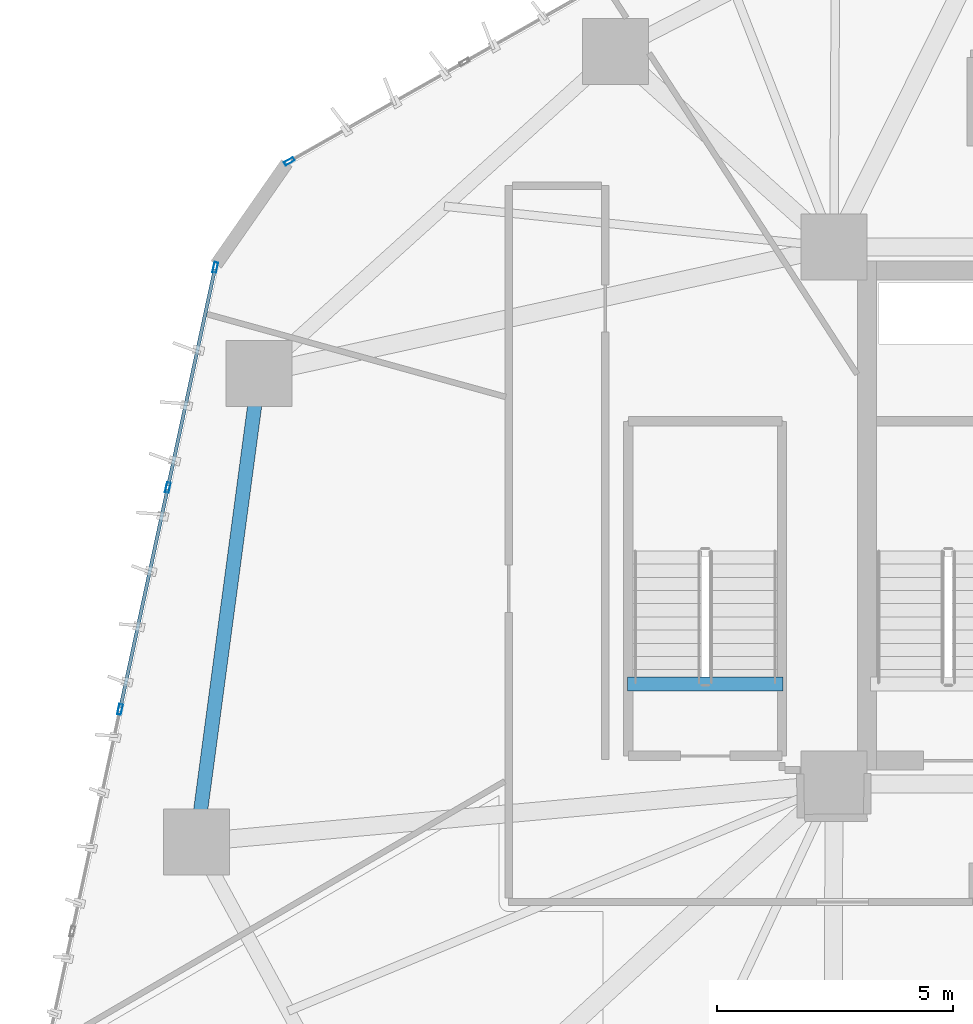
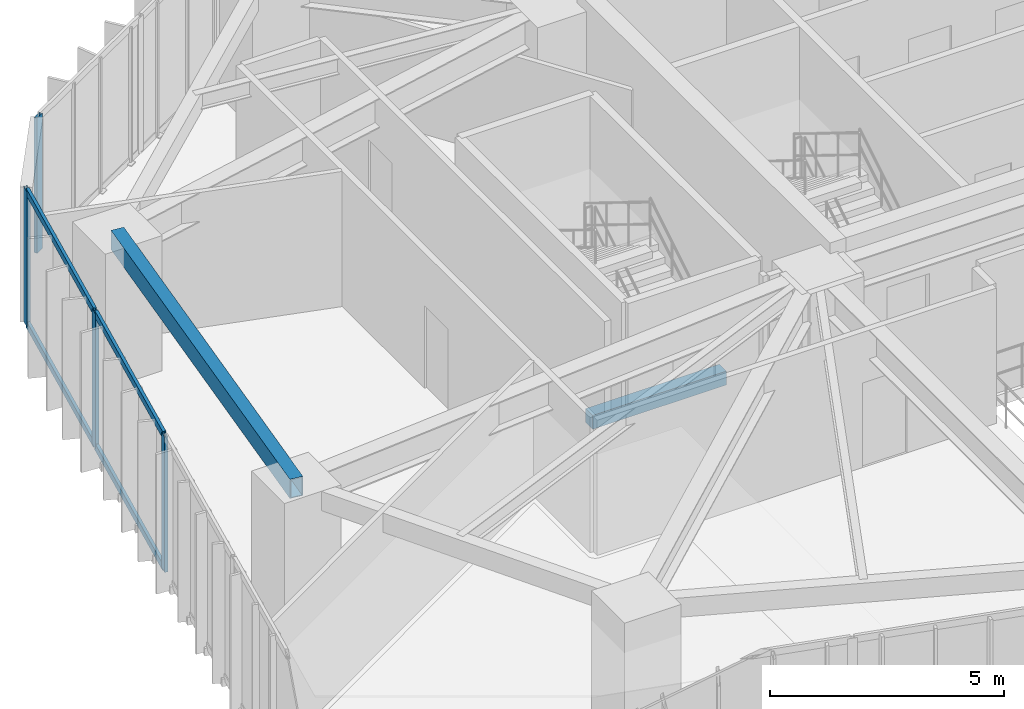
# One storey, part 6 of 23: 8 members, 2 beams, 2 elements without a shape of their own.
"""IFC4 building model written with IfcOpenShell, lengths in metres."""

from ifc_helpers import new_model, si_unit, direction, frame, origin, origin_2d, place, context, subcontext, project, spatial, rectangle, hollow_rectangle, extrude, source, transform, mapped, material, layer, layer_set, material_profile, profile_set, type_object, type_shapes, element, aggregate, save


model = new_model("IFC4")

# Units and contexts
model_context = context("Model", 3, precision=1e-05, world=origin(), true_north=direction((0.0, 1.0)))
body_context = subcontext(model_context, "Body", "Model", "MODEL_VIEW")
ifc_project = project(units=[si_unit("LENGTHUNIT", "METRE"), si_unit("AREAUNIT", "SQUARE_METRE"), si_unit("VOLUMEUNIT", "CUBIC_METRE"), si_unit("PLANEANGLEUNIT", "RADIAN"), si_unit("MASSUNIT", "GRAM", prefix="KILO")], contexts=[model_context])

# Site, building, storey
site_placement = place(None, origin())
site = spatial("IfcSite", under=ifc_project, at=site_placement, CompositionType="ELEMENT")
building_placement = place(site_placement, origin())
building = spatial("IfcBuilding", under=site, at=building_placement, Name="Talar Marvaseh", CompositionType="ELEMENT")
storey_placement = place(building_placement, frame((0.0, 0.0, 46.800048828125)))
storey = spatial("IfcBuildingStorey", under=building, at=storey_placement, Name="L11", CompositionType="ELEMENT", Elevation=46.800048828125)

# Beams
ifc_material_1 = material(Name="Concrete C40/50", Category="concrete")
ifc_material_profile_1 = material_profile(ifc_material_1, rectangle(XDim=0.300048828125, YDim=0.360107421875, at=origin_2d()), Name="RC300x360")
ifc_profile_set_1 = profile_set([ifc_material_profile_1], Name="Concrete C40/50")
beam_type_1 = type_object("IfcBeamType", Name="Concrete Stair Landing Trimmer Beam RC300x360", PredefinedType="SPANDREL", material=ifc_profile_set_1)
beam_1_placement = place(storey_placement, frame((17.6201171875, 27.6298828125, -0.179931640625), z_axis=(-1.0, 0.0, 0.0), x_axis=(0.0, -1.0, 0.0)))
element("IfcBeam", 1, at=beam_1_placement, inside=storey, type_object=beam_type_1, Name="L11 ST-3 Stair Nosing Trimmer Beam", PredefinedType="SPANDREL", context=body_context, shape_type="SweptSolid", body=[
    extrude(rectangle(XDim=0.300048828125, YDim=0.360107421875, at=origin_2d()), origin(), (0.0, 0.0, 1.0), 3.300048828125),
])
ifc_material_2 = material(Name="Steel S355", Category="steel")
ifc_material_profile_2 = material_profile(ifc_material_2, hollow_rectangle(XDim=0.300048828125, YDim=0.5, WallThickness=0.02001953125, at=origin_2d()), Name="RHS500x300x20")
ifc_profile_set_2 = profile_set([ifc_material_profile_2], Name="Steel S355")
beam_type_2 = type_object("IfcBeamType", Name="Zone 1 Perimeter Spandrel Beam RHS500x300x20", PredefinedType="SPANDREL", material=ifc_profile_set_2)
beam_2_placement = place(storey_placement, frame((5.175048828125, 24.27587890625, 3.27001953125), z_axis=(0.132340758564, 0.991204279461, 0.0), x_axis=(-0.991204279461, 0.132340758564, 0.0)))
element("IfcBeam", 2, at=beam_2_placement, inside=storey, type_object=beam_type_2, Name="L11 Zone 1 Perimeter Spandrel Beam RHS500x300x20", PredefinedType="SPANDREL", context=body_context, shape_type="SweptSolid", body=[
    extrude(hollow_rectangle(XDim=0.300048828125, YDim=0.5, WallThickness=0.02001953125, at=origin_2d()), origin(), (0.0, 0.0, 1.0), 10.0263671875),
])

# Curtain wall, members
ifc_material_3 = material(Name="Architectural Aluminium", Category="aluminium")
ifc_layer = layer(ifc_material_3, 0.219970703125)
ifc_layer_set = layer_set([ifc_layer], Name="Architectural Aluminium")
curtain_wall_type = type_object("IfcCurtainWallType", Name="Unitised Low-E Museum Curtain Wall Z1", PredefinedType="NOTDEFINED", material=ifc_layer_set)
curtain_wall_1_placement = place(storey_placement, origin())
curtain_wall_1 = element("IfcCurtainWall", 3, at=curtain_wall_1_placement, inside=storey, type_object=curtain_wall_type, Name="L11 Unitised Low-E Museum Curtain Wall Z1", PredefinedType="NOTDEFINED")
ifc_material_profile_3 = material_profile(ifc_material_3, hollow_rectangle(XDim=0.080078125, YDim=0.219970703125, WallThickness=0.0048828125, at=origin_2d()), Name="RHS220x80x5")
ifc_profile_set_3 = profile_set([ifc_material_profile_3], Name="Architectural Aluminium")
member_type_1 = type_object("IfcMemberType", Name="Unitised Curtain Wall Heavy Mullion RHS220x80x5", PredefinedType="MULLION", material=ifc_profile_set_3)
shared_shape_1 = source(origin(), body_context, "Body", "SweptSolid", [
    extrude(hollow_rectangle(XDim=0.080078125, YDim=0.219970703125, WallThickness=0.0048828125, at=origin_2d()), origin(), (0.0, 0.0, 1.0), 3.52001953125),
])
type_shapes(member_type_1, [shared_shape_1])
member_1_placement = place(storey_placement, frame((3.555419921875, 27.0869140625, 0.0), z_axis=(0.0, 0.0, 1.0), x_axis=(-0.977585873645, 0.210537074287, 0.0)))
member_1 = element("IfcMember", 4, at=member_1_placement, type_object=member_type_1, Name="CW-Z1 mullion 3", PredefinedType="MULLION", context=body_context, shape_type="MappedRepresentation", body=[
    mapped(shared_shape_1, transform((0.0, 0.0, 0.0), x_axis=(1.0, 0.0, 0.0), y_axis=(0.0, 1.0, 0.0), z_axis=(0.0, 0.0, 1.0), scale=1.0)),
])
member_2_placement = place(storey_placement, frame((4.5693359375, 31.795654296875, 0.0), z_axis=(0.0, 0.0, 1.0), x_axis=(-0.977585873645, 0.210537074287, 0.0)))
member_2 = element("IfcMember", 5, at=member_2_placement, type_object=member_type_1, Name="CW-Z1 mullion 4", PredefinedType="MULLION", context=body_context, shape_type="MappedRepresentation", body=[
    mapped(shared_shape_1, transform((0.0, 0.0, 0.0), x_axis=(1.0, 0.0, 0.0), y_axis=(0.0, 1.0, 0.0), z_axis=(0.0, 0.0, 1.0), scale=1.0)),
])
member_3_placement = place(storey_placement, frame((5.5751953125, 36.465087890625, 0.0), z_axis=(0.0, 0.0, 1.0), x_axis=(-0.977585873645, 0.210537074287, 0.0)))
member_3 = element("IfcMember", 6, at=member_3_placement, type_object=member_type_1, Name="CW-Z1 mullion 5", PredefinedType="MULLION", context=body_context, shape_type="MappedRepresentation", body=[
    mapped(shared_shape_1, transform((0.0, 0.0, 0.0), x_axis=(1.0, 0.0, 0.0), y_axis=(0.0, 1.0, 0.0), z_axis=(0.0, 0.0, 1.0), scale=1.0)),
])

# Curtain wall, member
curtain_wall_2_placement = place(storey_placement, origin())
curtain_wall_2 = element("IfcCurtainWall", 7, at=curtain_wall_2_placement, inside=storey, type_object=curtain_wall_type, Name="L11 Unitised Low-E Museum Curtain Wall Z1", PredefinedType="NOTDEFINED")
member_4_placement = place(storey_placement, frame((7.147216796875, 38.7158203125, 0.0), z_axis=(0.0, 0.0, 1.0), x_axis=(-0.493456056896, 0.869770728361, 0.0)))
member_4 = element("IfcMember", 8, at=member_4_placement, type_object=member_type_1, Name="CW-Z1 mullion 1", PredefinedType="MULLION", context=body_context, shape_type="MappedRepresentation", body=[
    mapped(shared_shape_1, transform((0.0, 0.0, 0.0), x_axis=(1.0, 0.0, 0.0), y_axis=(0.0, 1.0, 0.0), z_axis=(0.0, 0.0, 1.0), scale=1.0)),
])
aggregate(curtain_wall_2, [member_4])

# Member
ifc_material_profile_4 = material_profile(ifc_material_3, hollow_rectangle(XDim=0.074951171875, YDim=0.179931640625, WallThickness=0.0048828125, at=origin_2d()), Name="RHS180x75x5")
ifc_profile_set_4 = profile_set([ifc_material_profile_4], Name="Architectural Aluminium")
member_type_2 = type_object("IfcMemberType", Name="Unitised Curtain Wall Transom RHS180x75x5", PredefinedType="USERDEFINED", material=ifc_profile_set_4)
shared_shape_2 = source(origin(), body_context, "Body", "SweptSolid", [
    extrude(hollow_rectangle(XDim=0.074951171875, YDim=0.179931640625, WallThickness=0.0048828125, at=origin_2d()), origin(), (0.0, 0.0, 1.0), 4.736572265625),
])
member_5_placement = place(storey_placement, frame((3.563720703125, 27.126220703125, 0.037353515625), z_axis=(0.210556833772, 0.977581617949, 0.0), x_axis=(-0.977581617949, 0.210556833772, 0.0)))
member_5 = element("IfcMember", 9, at=member_5_placement, type_object=member_type_2, Name="CW-Z1 transom 3.1", ObjectType="TRANSOM", PredefinedType="USERDEFINED", context=body_context, shape_type="MappedRepresentation", body=[
    mapped(shared_shape_2, transform((0.0, 0.0, 0.0), x_axis=(1.0, 0.0, 0.0), y_axis=(0.0, 1.0, 0.0), z_axis=(0.0, 0.0, 1.0), scale=1.0)),
])

member_6_placement = place(storey_placement, frame((3.563720703125, 27.126220703125, 3.482421875), z_axis=(0.210556833772, 0.977581617949, 0.0), x_axis=(-0.977581617949, 0.210556833772, 0.0)))
member_6 = element("IfcMember", 10, at=member_6_placement, type_object=member_type_2, Name="CW-Z1 transom 3.2", ObjectType="TRANSOM", PredefinedType="USERDEFINED", context=body_context, shape_type="MappedRepresentation", body=[
    mapped(shared_shape_2, transform((0.0, 0.0, 0.0), x_axis=(1.0, 0.0, 0.0), y_axis=(0.0, 1.0, 0.0), z_axis=(0.0, 0.0, 1.0), scale=1.0)),
])

shared_shape_3 = source(origin(), body_context, "Body", "SweptSolid", [
    extrude(hollow_rectangle(XDim=0.074951171875, YDim=0.179931640625, WallThickness=0.0048828125, at=origin_2d()), origin(), (0.0, 0.0, 1.0), 4.696533203125),
])
type_shapes(member_type_2, [shared_shape_2, shared_shape_3])
member_7_placement = place(storey_placement, frame((4.577880859375, 31.834716796875, 0.037353515625), z_axis=(0.210530090381, 0.977587377703, 0.0), x_axis=(-0.977587377703, 0.210530090381, 0.0)))
member_7 = element("IfcMember", 11, at=member_7_placement, type_object=member_type_2, Name="CW-Z1 transom 4.1", ObjectType="TRANSOM", PredefinedType="USERDEFINED", context=body_context, shape_type="MappedRepresentation", body=[
    mapped(shared_shape_3, transform((0.0, 0.0, 0.0), x_axis=(1.0, 0.0, 0.0), y_axis=(0.0, 1.0, 0.0), z_axis=(0.0, 0.0, 1.0), scale=1.0)),
])

member_8_placement = place(storey_placement, frame((4.577880859375, 31.834716796875, 3.482421875), z_axis=(0.210530090381, 0.977587377703, 0.0), x_axis=(-0.977587377703, 0.210530090381, 0.0)))
member_8 = element("IfcMember", 12, at=member_8_placement, type_object=member_type_2, Name="CW-Z1 transom 4.2", ObjectType="TRANSOM", PredefinedType="USERDEFINED", context=body_context, shape_type="MappedRepresentation", body=[
    mapped(shared_shape_3, transform((0.0, 0.0, 0.0), x_axis=(1.0, 0.0, 0.0), y_axis=(0.0, 1.0, 0.0), z_axis=(0.0, 0.0, 1.0), scale=1.0)),
])

aggregate(curtain_wall_1, [member_1, member_2, member_3, member_5, member_6, member_7, member_8])

save(model, "model.ifc")
